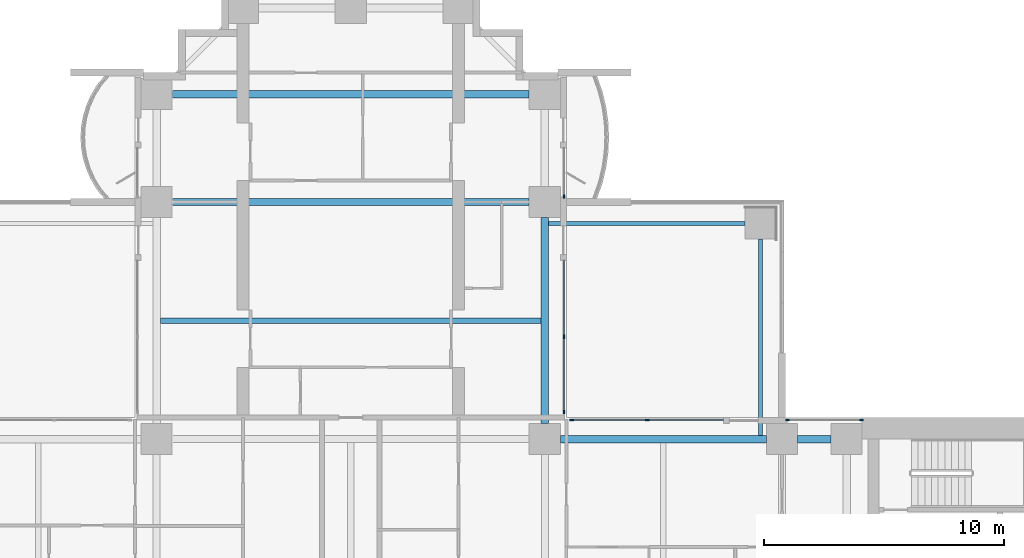
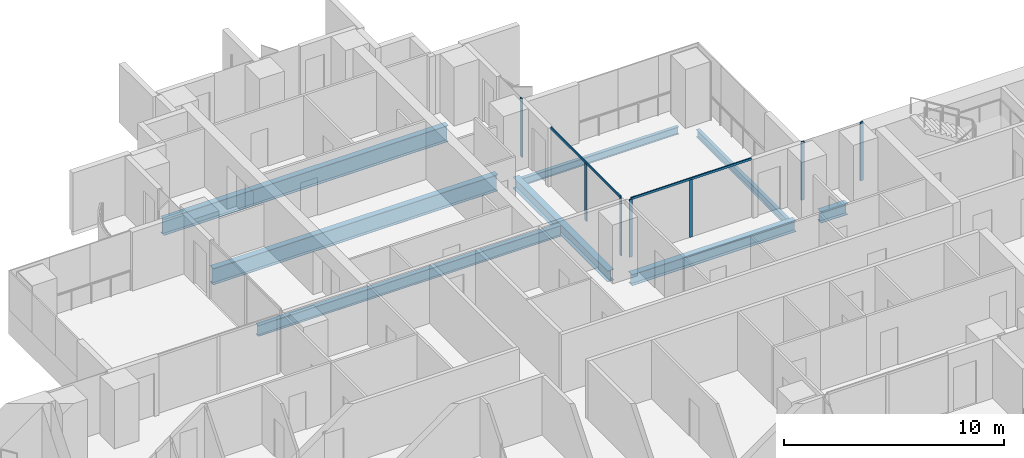
# One storey, part 6 of 20: 9 members, 8 beams, 4 elements without a shape of their own.
"""IFC4 building model written with IfcOpenShell, lengths in metres."""

from ifc_helpers import new_model, si_unit, direction, frame, origin, origin_2d, place, context, subcontext, project, spatial, rectangle, i_section, extrude, material, material_profile, profile_set, type_object, element, aggregate, save


model = new_model("IFC4")

# Units and contexts
model_context = context("Model", 3, precision=1e-05, world=origin(), true_north=direction((0.0, 1.0)))
body_context = subcontext(model_context, "Body", "Model", "MODEL_VIEW")
ifc_project = project(units=[si_unit("LENGTHUNIT", "METRE"), si_unit("AREAUNIT", "SQUARE_METRE"), si_unit("VOLUMEUNIT", "CUBIC_METRE"), si_unit("PLANEANGLEUNIT", "RADIAN"), si_unit("MASSUNIT", "GRAM", prefix="KILO")], contexts=[model_context])

# Site, building, storey
site_placement = place(None, origin())
site = spatial("IfcSite", under=ifc_project, at=site_placement, CompositionType="ELEMENT")
building_placement = place(site_placement, origin())
building = spatial("IfcBuilding", under=site, at=building_placement, Name="Perihelion Cross Residences", CompositionType="ELEMENT")
storey_placement = place(building_placement, frame((0.0, 0.0, 68.0)))
storey = spatial("IfcBuildingStorey", under=building, at=storey_placement, Name="L14", CompositionType="ELEMENT", Elevation=68.0)

# Curtain wall, members
ifc_material_1 = material(Name="Bronze anodised aluminium, tinted glazing", Category="aluminium")
curtain_wall_type = type_object("IfcCurtainWallType", Name="CW1", PredefinedType="NOTDEFINED", material=ifc_material_1)
curtain_wall_1_placement = place(storey_placement, origin())
curtain_wall_1 = element("IfcCurtainWall", 1, at=curtain_wall_1_placement, inside=storey, type_object=curtain_wall_type, Name="Curtain wall CW1 L14 east side north bay 1", PredefinedType="NOTDEFINED")
ifc_material_2 = material(Name="Bronze anodised aluminium", Category="aluminium")
ifc_material_profile_1 = material_profile(ifc_material_2, rectangle(XDim=0.06005859375, YDim=0.159912109375, at=origin_2d()), Name="CW1 mullion")
ifc_profile_set_1 = profile_set([ifc_material_profile_1], Name="Bronze anodised aluminium")
member_type_1 = type_object("IfcMemberType", Name="CW1 mullion", PredefinedType="MULLION", material=ifc_profile_set_1)
member_1_placement = place(storey_placement, frame((21.320068359375, 8.89990234375, 0.0), z_axis=(0.0, 0.0, 1.0), x_axis=(0.0, -1.0, 0.0)))
member_1 = element("IfcMember", 2, at=member_1_placement, type_object=member_type_1, Name="CW1 mullion 1", PredefinedType="MULLION", context=body_context, shape_type="SweptSolid", body=[
    extrude(rectangle(XDim=0.06005859375, YDim=0.159912109375, at=origin_2d()), origin(), (0.0, 0.0, 1.0), 3.25),
])
member_2_placement = place(storey_placement, frame((18.22998046875, 8.89990234375, 0.0), z_axis=(0.0, 0.0, 1.0), x_axis=(0.0, -1.0, 0.0)))
member_2 = element("IfcMember", 3, at=member_2_placement, type_object=member_type_1, Name="CW1 mullion 2", PredefinedType="MULLION", context=body_context, shape_type="SweptSolid", body=[
    extrude(rectangle(XDim=0.06005859375, YDim=0.159912109375, at=origin_2d()), origin(), (0.0, 0.0, 1.0), 3.25),
])
aggregate(curtain_wall_1, [member_1, member_2])

curtain_wall_2_placement = place(storey_placement, origin())
curtain_wall_2 = element("IfcCurtainWall", 4, at=curtain_wall_2_placement, inside=storey, type_object=curtain_wall_type, Name="Curtain wall CW1 L14 east side north bay 2", PredefinedType="NOTDEFINED")
member_3_placement = place(storey_placement, frame((12.375, 8.89990234375, 0.0), z_axis=(0.0, 0.0, 1.0), x_axis=(0.0, -1.0, 0.0)))
member_3 = element("IfcMember", 5, at=member_3_placement, type_object=member_type_1, Name="CW1 mullion 2", PredefinedType="MULLION", context=body_context, shape_type="SweptSolid", body=[
    extrude(rectangle(XDim=0.06005859375, YDim=0.159912109375, at=origin_2d()), origin(), (0.0, 0.0, 1.0), 3.18994140625),
])
member_4_placement = place(storey_placement, frame((9.22998046875, 8.89990234375, 0.0), z_axis=(0.0, 0.0, 1.0), x_axis=(0.0, -1.0, 0.0)))
member_4 = element("IfcMember", 6, at=member_4_placement, type_object=member_type_1, Name="CW1 mullion 3", PredefinedType="MULLION", context=body_context, shape_type="SweptSolid", body=[
    extrude(rectangle(XDim=0.06005859375, YDim=0.159912109375, at=origin_2d()), origin(), (0.0, 0.0, 1.0), 3.18994140625),
])

curtain_wall_3_placement = place(storey_placement, origin())
curtain_wall_3 = element("IfcCurtainWall", 7, at=curtain_wall_3_placement, inside=storey, type_object=curtain_wall_type, Name="Curtain wall CW1 L14 north side east bay 1", PredefinedType="NOTDEFINED")
member_5_placement = place(storey_placement, frame((8.89990234375, 9.22998046875, 0.0), z_axis=(0.0, 0.0, 1.0), x_axis=(-1.0, 0.0, 0.0)))
member_5 = element("IfcMember", 8, at=member_5_placement, type_object=member_type_1, Name="CW1 mullion 1", PredefinedType="MULLION", context=body_context, shape_type="SweptSolid", body=[
    extrude(rectangle(XDim=0.06005859375, YDim=0.159912109375, at=origin_2d()), origin(), (0.0, 0.0, 1.0), 3.18994140625),
])
member_6_placement = place(storey_placement, frame((8.89990234375, 12.375, 0.0), z_axis=(0.0, 0.0, 1.0), x_axis=(-1.0, 0.0, 0.0)))
member_6 = element("IfcMember", 9, at=member_6_placement, type_object=member_type_1, Name="CW1 mullion 2", PredefinedType="MULLION", context=body_context, shape_type="SweptSolid", body=[
    extrude(rectangle(XDim=0.06005859375, YDim=0.159912109375, at=origin_2d()), origin(), (0.0, 0.0, 1.0), 3.18994140625),
])

# Curtain wall, member
curtain_wall_4_placement = place(storey_placement, origin())
curtain_wall_4 = element("IfcCurtainWall", 10, at=curtain_wall_4_placement, inside=storey, type_object=curtain_wall_type, Name="Curtain wall CW1 L14 north side east bay 2", PredefinedType="NOTDEFINED")
member_7_placement = place(storey_placement, frame((8.89990234375, 18.22998046875, 0.0), z_axis=(0.0, 0.0, 1.0), x_axis=(-1.0, 0.0, 0.0)))
member_7 = element("IfcMember", 11, at=member_7_placement, type_object=member_type_1, Name="CW1 mullion 1", PredefinedType="MULLION", context=body_context, shape_type="SweptSolid", body=[
    extrude(rectangle(XDim=0.06005859375, YDim=0.159912109375, at=origin_2d()), origin(), (0.0, 0.0, 1.0), 3.25),
])
aggregate(curtain_wall_4, [member_7])

# Member
ifc_material_3 = material(Name="Bronze anodised aluminium", Category="aluminium")
ifc_material_profile_2 = material_profile(ifc_material_3, rectangle(XDim=0.06005859375, YDim=0.1201171875, at=origin_2d()), Name="CW1 transom")
ifc_profile_set_2 = profile_set([ifc_material_profile_2], Name="Bronze anodised aluminium")
member_type_2 = type_object("IfcMemberType", Name="CW1 transom", PredefinedType="USERDEFINED", material=ifc_profile_set_2)
member_8_placement = place(storey_placement, frame((15.550048828125, 8.89990234375, 3.219970703125), z_axis=(-1.0, 0.0, 0.0), x_axis=(0.0, -1.0, 0.0)))
member_8 = element("IfcMember", 12, at=member_8_placement, type_object=member_type_2, Name="CW1 head transom", ObjectType="TRANSOM", PredefinedType="USERDEFINED", context=body_context, shape_type="SweptSolid", body=[
    extrude(rectangle(XDim=0.06005859375, YDim=0.1201171875, at=origin_2d()), origin(), (0.0, 0.0, 1.0), 6.320068359375),
])

aggregate(curtain_wall_2, [member_3, member_4, member_8])

member_9_placement = place(storey_placement, frame((8.89990234375, 9.22998046875, 3.219970703125), z_axis=(0.0, 1.0, 0.0), x_axis=(-1.0, 0.0, 0.0)))
member_9 = element("IfcMember", 13, at=member_9_placement, type_object=member_type_2, Name="CW1 head transom", ObjectType="TRANSOM", PredefinedType="USERDEFINED", context=body_context, shape_type="SweptSolid", body=[
    extrude(rectangle(XDim=0.06005859375, YDim=0.1201171875, at=origin_2d()), origin(), (0.0, 0.0, 1.0), 6.320068359375),
])

aggregate(curtain_wall_3, [member_5, member_6, member_9])

# Beams
ifc_material_4 = material(Name="Steel S355", Category="steel")
ifc_material_profile_3 = material_profile(ifc_material_4, i_section(OverallWidth=0.177978515625, OverallDepth=0.406005859375, WebThickness=0.0078125, FlangeThickness=0.0126953125, at=origin_2d()), Name="W410x60")
ifc_profile_set_3 = profile_set([ifc_material_profile_3], Name="Steel S355")
beam_type_1 = type_object("IfcBeamType", Name="Core edge beam W410x60", PredefinedType="BEAM", material=ifc_profile_set_3)
for number, where, z_axis, x_axis, name in (
    (14, (17.10009765625, 8.262451171875, -0.452880859375), (0.0, 1.0, 0.0), (-1.0, 0.0, 0.0), "Core edge beam TB2 L14 corner no. 7"),
    (15, (8.262451171875, 17.10009765625, -0.452880859375), (1.0, 0.0, 0.0), (0.0, 1.0, 0.0), "Core edge beam TB2 L14 corner no. 8"),
):
    element("IfcBeam", number, at=place(storey_placement, frame(where, z_axis=z_axis, x_axis=x_axis)), inside=storey, type_object=beam_type_1, Name=name, PredefinedType="BEAM", context=body_context, shape_type="SweptSolid", body=[
        extrude(i_section(OverallWidth=0.177978515625, OverallDepth=0.406005859375, WebThickness=0.0078125, FlangeThickness=0.0126953125, at=origin_2d()), origin(), (0.0, 0.0, 1.0), 8.1875),
    ])
ifc_material_5 = material(Name="Steel S355", Category="steel")
ifc_material_profile_4 = material_profile(ifc_material_5, i_section(OverallWidth=0.324951171875, OverallDepth=0.616943359375, WebThickness=0.013916015625, FlangeThickness=0.021484375, at=origin_2d()), Name="W610x174")
ifc_profile_set_4 = profile_set([ifc_material_profile_4], Name="Steel S355")
beam_type_2 = type_object("IfcBeamType", Name="Edge beam W610x174", PredefinedType="SPANDREL", material=ifc_profile_set_4)
beam_1_placement = place(storey_placement, frame((20.050048828125, 8.10009765625, -0.55859375), z_axis=(-1.0, 0.0, 0.0), x_axis=(0.0, -1.0, 0.0)))
element("IfcBeam", 16, at=beam_1_placement, inside=storey, type_object=beam_type_2, Name="Edge beam SB2 L14 no. 14", PredefinedType="SPANDREL", context=body_context, shape_type="SweptSolid", body=[
    extrude(i_section(OverallWidth=0.324951171875, OverallDepth=0.616943359375, WebThickness=0.013916015625, FlangeThickness=0.021484375, at=origin_2d()), origin(), (0.0, 0.0, 1.0), 1.400146484375),
])
for number, where, z_axis, x_axis, name in (
    (17, (17.35009765625, 8.10009765625, -0.55859375), (-1.0, 0.0, 0.0), (0.0, -1.0, 0.0), "Edge beam SB2 L14 no. 13"),
    (18, (8.10009765625, 8.75, -0.55859375), (0.0, 1.0, 0.0), (-1.0, 0.0, 0.0), "Edge beam SB2 L14 no. 20"),
):
    element("IfcBeam", number, at=place(storey_placement, frame(where, z_axis=z_axis, x_axis=x_axis)), inside=storey, type_object=beam_type_2, Name=name, PredefinedType="SPANDREL", context=body_context, shape_type="SweptSolid", body=[
        extrude(i_section(OverallWidth=0.324951171875, OverallDepth=0.616943359375, WebThickness=0.013916015625, FlangeThickness=0.021484375, at=origin_2d()), origin(), (0.0, 0.0, 1.0), 8.60009765625),
    ])
ifc_material_6 = material(Name="Steel S355", Category="steel")
ifc_material_profile_5 = material_profile(ifc_material_6, i_section(OverallWidth=0.304931640625, OverallDepth=0.904052734375, WebThickness=0.01513671875, FlangeThickness=0.02001953125, at=origin_2d()), Name="W920x201")
ifc_profile_set_5 = profile_set([ifc_material_profile_5], Name="Steel S355")
beam_type_3 = type_object("IfcBeamType", Name="Floor girder W920x201", PredefinedType="BEAM", material=ifc_profile_set_5)
for number, where, z_axis, x_axis, name in (
    (19, (-7.449951171875, 18.0, -0.701904296875), (1.0, 0.0, 0.0), (0.0, 1.0, 0.0), "Girder G2 L14 no. 5"),
    (20, (-7.449951171875, 22.5, -0.701904296875), (1.0, 0.0, 0.0), (0.0, 1.0, 0.0), "Girder G2 L14 no. 6"),
):
    element("IfcBeam", number, at=place(storey_placement, frame(where, z_axis=z_axis, x_axis=x_axis)), inside=storey, type_object=beam_type_3, Name=name, PredefinedType="BEAM", context=body_context, shape_type="SweptSolid", body=[
        extrude(i_section(OverallWidth=0.304931640625, OverallDepth=0.904052734375, WebThickness=0.01513671875, FlangeThickness=0.02001953125, at=origin_2d()), origin(), (0.0, 0.0, 1.0), 14.89990234375),
    ])
ifc_material_7 = material(Name="Steel S355", Category="steel")
ifc_material_profile_6 = material_profile(ifc_material_7, i_section(OverallWidth=0.22900390625, OverallDepth=0.612060546875, WebThickness=0.011962890625, FlangeThickness=0.01953125, at=origin_2d()), Name="W610x125")
ifc_profile_set_6 = profile_set([ifc_material_profile_6], Name="Steel S355")
beam_type_4 = type_object("IfcBeamType", Name="Floor joist W610x125", PredefinedType="JOIST", material=ifc_profile_set_6)
beam_2_placement = place(storey_placement, frame((-7.9375, 13.050048828125, -0.555908203125), z_axis=(1.0, 0.0, 0.0), x_axis=(0.0, 1.0, 0.0)))
element("IfcBeam", 21, at=beam_2_placement, inside=storey, type_object=beam_type_4, Name="Joist J3 L14 no. 4", PredefinedType="JOIST", context=body_context, shape_type="SweptSolid", body=[
    extrude(i_section(OverallWidth=0.22900390625, OverallDepth=0.612060546875, WebThickness=0.011962890625, FlangeThickness=0.01953125, at=origin_2d()), origin(), (0.0, 0.0, 1.0), 15.875),
])

save(model, "model.ifc")
